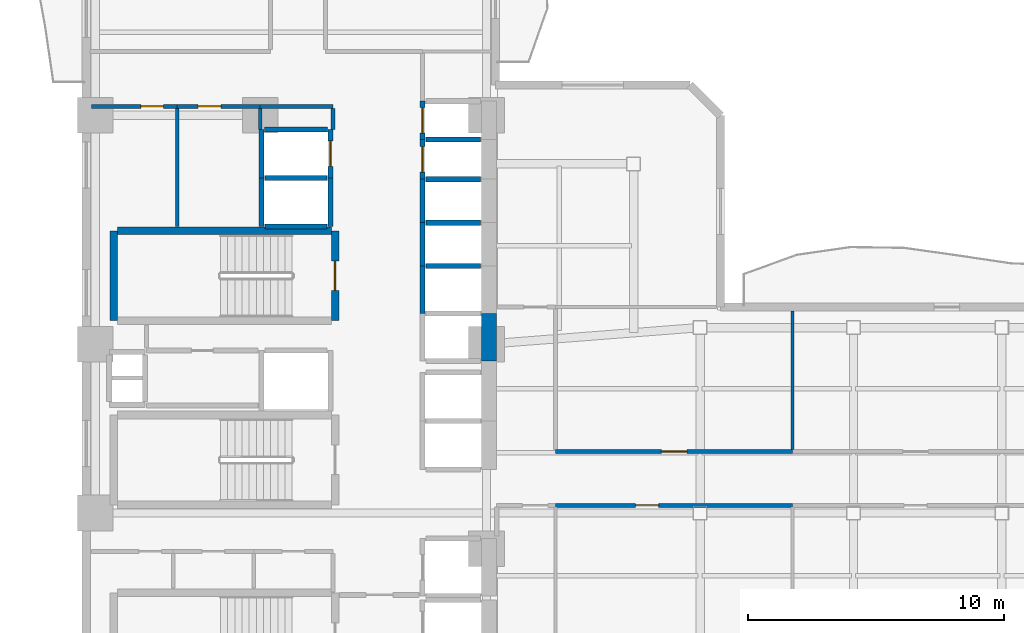
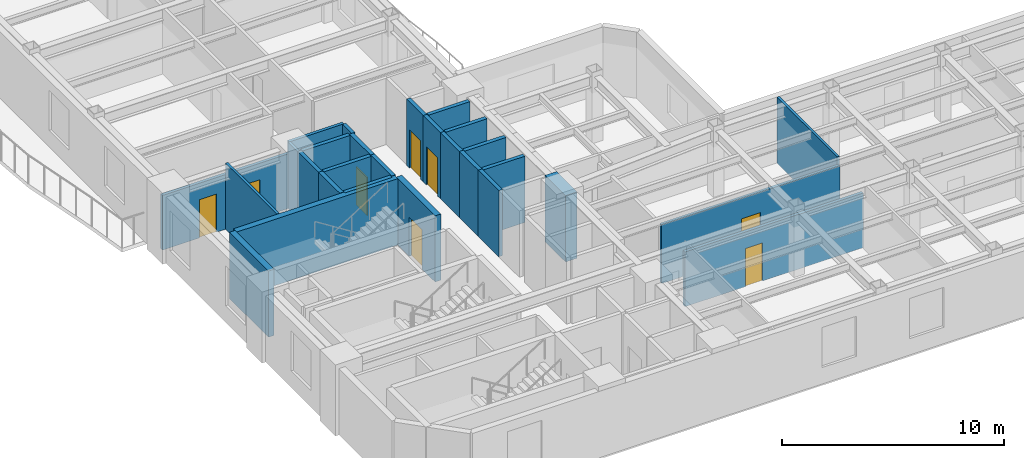
# One storey, part 4 of 10: 29 walls, 8 doors, 8 openings.
"""IFC4 building model written with IfcOpenShell, lengths in metres."""

import ifcopenshell
import ifcopenshell.guid

model = None  # the IFC model being written
_history = None  # IfcOwnerHistory: only IFC2X3 demands one
_inside = {}  # id of a spatial element -> (the spatial element, [elements in it])
_under = {}  # id of a project, library or spatial element -> (it, [spatial elements below it])
_declared = {}  # id of a project -> (the project, [libraries it declares])
_typed = {}  # id of a type object -> (the type object, [elements of that type])
_made_of = {}  # id of a material, layer set ... -> (it, [elements and type objects made of it])


def new_model(schema):
    """Start an empty IFC model of exactly this schema.

    Asked for "IFC4X3", IfcOpenShell would pick the latest addendum, in which some entities
    have other attributes; the version numbers below select the first issue.
    IFC2X3 requires an IfcOwnerHistory on every rooted entity: one is made here for all.
    """
    global model, _history
    if schema == "IFC4X3":
        model = ifcopenshell.file(schema_version=(4, 3, 0, 0))
    else:
        model = ifcopenshell.file(schema=schema)
    _inside.clear()
    _under.clear()
    _declared.clear()
    _typed.clear()
    _made_of.clear()
    _history = None
    if model.schema == "IFC2X3":
        org = make("IfcOrganization", Name="unknown")
        user = make(
            "IfcPersonAndOrganization",
            ThePerson=make("IfcPerson", FamilyName="unknown"),
            TheOrganization=org,
        )
        app = make(
            "IfcApplication",
            ApplicationDeveloper=org,
            Version="unknown",
            ApplicationFullName="unknown",
            ApplicationIdentifier="unknown",
        )
        _history = make(
            "IfcOwnerHistory",
            OwningUser=user,
            OwningApplication=app,
            ChangeAction="ADDED",
            CreationDate=0,
        )
    return model


def make(cls, **values):
    """One entity of the class cls with the attributes given. An attribute that is None is left unset."""
    return model.create_entity(
        cls, **{name: value for name, value in values.items() if value is not None}
    )


def rooted(cls, **values):
    """An entity with a GlobalId (a new one), such as an element, a storey or a relation."""
    return make(cls, GlobalId=ifcopenshell.guid.new(), OwnerHistory=_history, **values)


def si_unit(unit_type, name, prefix=None):
    """IfcSIUnit, for example si_unit("LENGTHUNIT", "METRE", prefix="MILLI")."""
    return make("IfcSIUnit", UnitType=unit_type, Prefix=prefix, Name=name)


def assignment(units):
    """IfcUnitAssignment: the units of a project."""
    return None if units is None else make("IfcUnitAssignment", Units=units)


def point(xyz):
    """IfcCartesianPoint."""
    return None if xyz is None else make("IfcCartesianPoint", Coordinates=xyz)


def direction(xyz):
    """IfcDirection."""
    return None if xyz is None else make("IfcDirection", DirectionRatios=xyz)


def frame(location, z_axis=None, x_axis=None):
    """IfcAxis2Placement3D, a coordinate frame: its origin and axes. An axis left out is left unset."""
    return make(
        "IfcAxis2Placement3D",
        Location=point(location),
        Axis=direction(z_axis),
        RefDirection=direction(x_axis),
    )


def frame_2d(location, x_axis=None):
    """IfcAxis2Placement2D, a coordinate frame in the plane: its origin and x axis."""
    return make(
        "IfcAxis2Placement2D", Location=point(location), RefDirection=direction(x_axis)
    )


def origin():
    """The frame at (0, 0, 0) with its axes left unset."""
    return frame((0.0, 0.0, 0.0))


def place(relative_to, where):
    """IfcLocalPlacement: puts the frame where relative to a parent placement (None: the world)."""
    return make(
        "IfcLocalPlacement", PlacementRelTo=relative_to, RelativePlacement=where
    )


def context(
    kind, dimensions, precision=None, world=None, true_north=None, identifier=None
):
    """IfcGeometricRepresentationContext, for example the 3D "Model" context."""
    return make(
        "IfcGeometricRepresentationContext",
        ContextIdentifier=identifier,
        ContextType=kind,
        CoordinateSpaceDimension=dimensions,
        Precision=precision,
        WorldCoordinateSystem=world,
        TrueNorth=true_north,
    )


def subcontext(parent, identifier, kind, view, scale=None):
    """IfcGeometricRepresentationSubContext, for example "Body" below "Model"."""
    return make(
        "IfcGeometricRepresentationSubContext",
        ContextIdentifier=identifier,
        ContextType=kind,
        ParentContext=parent,
        TargetScale=scale,
        TargetView=view,
    )


def project(units=None, contexts=None):
    """IfcProject with its units and contexts."""
    return rooted(
        "IfcProject",
        Name="project",
        RepresentationContexts=contexts,
        UnitsInContext=assignment(units),
    )


def spatial(cls, under=None, at=None, **own):
    """A site, building, storey or space (cls), placed at a placement, below another one or the project."""
    s = rooted(cls, ObjectPlacement=at, **own)
    if under is not None:
        _under.setdefault(under.id(), (under, []))[1].append(s)
    return s


def profile(cls, at=None, kind="AREA", **sizes):
    """A parametric profile (cls). Its sizes go by their IFC names, for example OverallWidth=200.0."""
    return make(cls, ProfileType=kind, Position=at, **sizes)


def rectangle(**sizes):
    """IfcRectangleProfileDef."""
    return profile("IfcRectangleProfileDef", **sizes)


def extrude(swept, where, along, depth):
    """IfcExtrudedAreaSolid: the profile swept, set in the frame where, extruded along a direction by depth."""
    return make(
        "IfcExtrudedAreaSolid",
        SweptArea=swept,
        Position=where,
        ExtrudedDirection=direction(along),
        Depth=depth,
    )


def shape(context_of_items, identifier, shape_type, items):
    """IfcShapeRepresentation: the items that make up one representation, for example the "Body"."""
    return make(
        "IfcShapeRepresentation",
        ContextOfItems=context_of_items,
        RepresentationIdentifier=identifier,
        RepresentationType=shape_type,
        Items=items,
    )


def material(Name=None, Category=None):
    """IfcMaterial."""
    return make("IfcMaterial", Name=Name, Category=Category)


def layer(
    of_material, thickness, ventilated=None, Name=None, Category=None, Priority=None
):
    """IfcMaterialLayer: one layer of a wall or slab, of a material (None: an air gap)."""
    return make(
        "IfcMaterialLayer",
        Material=of_material,
        LayerThickness=thickness,
        IsVentilated=ventilated,
        Name=Name,
        Category=Category,
        Priority=Priority,
    )


def layer_set(layers, Name=None):
    """IfcMaterialLayerSet."""
    return make("IfcMaterialLayerSet", MaterialLayers=layers, LayerSetName=Name)


def made_of(thing, what):
    """Note that an element or type object is made of a material, layer set ...; save() writes the relation."""
    if what is not None:
        _made_of.setdefault(what.id(), (what, []))[1].append(thing)
    return thing


def type_object(cls, material=None, **own):
    """A type object (cls), such as IfcWallType, which elements share."""
    return made_of(rooted(cls, **own), material)


def element(
    cls,
    number,
    at=None,
    inside=None,
    cuts=None,
    type_object=None,
    material=None,
    context=None,
    identifier="Body",
    shape_type=None,
    held_by="IfcProductDefinitionShape",
    body=None,
    shapes=None,
    **own,
):
    """One element of the class cls, such as IfcWall. Its Tag is "e" and its number.

    at: its placement. inside: the storey or other place that contains it. cuts: it is an
    opening in that element (IfcRelVoidsElement). A single representation is given by context,
    identifier, shape_type and body (its items); several are given by shapes. held_by: the class
    of the entity that holds the representations. save() writes the other relations.
    """
    e = rooted(cls, Tag="e%d" % number, ObjectPlacement=at, **own)
    if body is not None:
        shapes = [shape(context, identifier, shape_type, body)]
    if shapes is not None:
        e.Representation = make(held_by, Representations=shapes)
    if inside is not None:
        _inside.setdefault(inside.id(), (inside, []))[1].append(e)
    if cuts is not None:
        rooted(
            "IfcRelVoidsElement", RelatingBuildingElement=cuts, RelatedOpeningElement=e
        )
    if type_object is not None:
        _typed.setdefault(type_object.id(), (type_object, []))[1].append(e)
    return made_of(e, material)


def fill(opening, filler):
    """IfcRelFillsElement: the door or window that sits in an opening."""
    return rooted(
        "IfcRelFillsElement",
        RelatingOpeningElement=opening,
        RelatedBuildingElement=filler,
    )


def aggregate(whole, parts):
    """IfcRelAggregates: a whole, such as a stair, and the parts it consists of."""
    return rooted("IfcRelAggregates", RelatingObject=whole, RelatedObjects=parts)


def save(model, path):
    """Write the relations noted so far, then the file.

    IfcRelAggregates (storeys below a building ...), IfcRelContainedInSpatialStructure (elements
    in a storey), IfcRelDefinesByType, IfcRelAssociatesMaterial and IfcRelDeclares: one each for
    every whole, place, type object, material and project.
    """
    for whole, parts in _under.values():
        aggregate(whole, parts)
    for where, things in _inside.values():
        rooted(
            "IfcRelContainedInSpatialStructure",
            RelatedElements=things,
            RelatingStructure=where,
        )
    for kind, things in _typed.values():
        rooted("IfcRelDefinesByType", RelatedObjects=things, RelatingType=kind)
    for what, things in _made_of.values():
        rooted("IfcRelAssociatesMaterial", RelatedObjects=things, RelatingMaterial=what)
    for by, libraries in _declared.values():
        rooted("IfcRelDeclares", RelatingContext=by, RelatedDefinitions=libraries)
    model.write(path)


model = new_model("IFC4")

# Units and contexts
model_context = context("Model", 3, precision=1e-05, world=origin(), true_north=direction((0.0, 1.0)))
body_context = subcontext(model_context, "Body", "Model", "MODEL_VIEW")
ifc_project = project(units=[si_unit("LENGTHUNIT", "METRE"), si_unit("AREAUNIT", "SQUARE_METRE"), si_unit("VOLUMEUNIT", "CUBIC_METRE"), si_unit("PLANEANGLEUNIT", "RADIAN"), si_unit("MASSUNIT", "GRAM", prefix="KILO")], contexts=[model_context])

# Site, building, storey
site_placement = place(None, origin())
site = spatial("IfcSite", under=ifc_project, at=site_placement, CompositionType="ELEMENT")
building_placement = place(site_placement, origin())
building = spatial("IfcBuilding", under=site, at=building_placement, Name="Mawjaban Terraces University", CompositionType="ELEMENT")
storey_placement = place(building_placement, frame((0.0, 0.0, 89.5)))
storey = spatial("IfcBuildingStorey", under=building, at=storey_placement, Name="L21", CompositionType="ELEMENT", Elevation=89.5)

# Wall
ifc_material_1 = material(Name="Concrete C70/85", Category="concrete")
ifc_layer_1 = layer(ifc_material_1, 0.60009765625)
ifc_layer_set_1 = layer_set([ifc_layer_1], Name="Concrete C70/85")
wall_type_1 = type_object("IfcWallType", Name="CoreShearWall_600", PredefinedType="SHEAR", material=ifc_layer_set_1)
wall_1_placement = place(storey_placement, frame((37.75, 13.89990234375, 0.0), z_axis=(0.0, 0.0, 1.0), x_axis=(0.0, 1.0, 0.0)))
element("IfcWall", 1, at=wall_1_placement, inside=storey, type_object=wall_type_1, Name="L21 Lift OL-1 Hoistway Wall East", PredefinedType="SHEAR", context=body_context, shape_type="SweptSolid", body=[
    extrude(rectangle(XDim=1.85009765625, YDim=0.60009765625, at=frame_2d((0.925048828125, 0.0))), origin(), (0.0, 0.0, 1.0), 3.639892578125),
])

# Wall, opening, door
ifc_material_2 = material(Name="Fire-rated gypsum board on steel stud", Category="steel")
ifc_layer_2 = layer(ifc_material_2, 0.159912109375)
ifc_layer_set_2 = layer_set([ifc_layer_2], Name="Fire-rated gypsum board on steel stud")
wall_type_2 = type_object("IfcWallType", Name="CorridorPartition_160", PredefinedType="PARTITIONING", material=ifc_layer_set_2)
wall_2_placement = place(storey_placement, frame((25.550048828125, 23.85009765625, 0.0), z_axis=(0.0, 0.0, 1.0), x_axis=(-1.0, 0.0, 0.0)))
wall_2 = element("IfcWall", 2, at=wall_2_placement, inside=storey, type_object=wall_type_2, Name="L21 Ablution Room Partition 5", PredefinedType="PARTITIONING", context=body_context, shape_type="SweptSolid", body=[
    extrude(rectangle(XDim=3.35009765625, YDim=0.159912109375, at=frame_2d((1.675048828125, 0.0))), origin(), (0.0, 0.0, 1.0), 3.0048828125),
])
opening_1_placement = place(wall_2_placement, frame((0.534912109375, 0.0, 0.0)))
opening_1 = element("IfcOpeningElement", 3, at=opening_1_placement, cuts=wall_2, Name="Opening ID-088", PredefinedType="OPENING", context=body_context, shape_type="SweptSolid", body=[
    extrude(rectangle(XDim=0.8798828125, YDim=2.10009765625, at=frame_2d((0.43994140625, 1.050048828125))), frame((0.0, 0.08984375, 0.0), z_axis=(0.0, -1.0, 0.0), x_axis=(1.0, 0.0, 0.0)), (0.0, 0.0, 1.0), 0.179931640625),
])
ifc_material_3 = material(Name="Powder-coated steel frame and solid acoustic timber leaf", Category="steel")
door_type_1 = type_object("IfcDoorType", Name="ToiletDoor_880x2100", OperationType="NOTDEFINED", PredefinedType="DOOR", material=ifc_material_3)
door_1_placement = place(opening_1_placement, origin())
door_1 = element("IfcDoor", 4, at=door_1_placement, inside=storey, type_object=door_type_1, Name="L21 Ablution Room Door", OperationType="SINGLE_SWING_LEFT", OverallHeight=2.10009765625, OverallWidth=0.8798828125, PredefinedType="DOOR", context=body_context, shape_type="SweptSolid", body=[
    extrude(rectangle(XDim=0.8798828125, YDim=2.10009765625, at=frame_2d((0.43994140625, 1.050048828125))), frame((0.0, 0.02490234375, 0.0), z_axis=(0.0, -1.0, 0.0), x_axis=(1.0, 0.0, 0.0)), (0.0, 0.0, 1.0), 0.050048828125),
])
fill(opening_1, door_1)

wall_3_placement = place(storey_placement, frame((28.800048828125, 23.85009765625, 0.0), z_axis=(0.0, 0.0, 1.0), x_axis=(-1.0, 0.0, 0.0)))
wall_3 = element("IfcWall", 5, at=wall_3_placement, inside=storey, type_object=wall_type_2, Name="L21 Cleaner Store Partition 7", PredefinedType="PARTITIONING", context=body_context, shape_type="SweptSolid", body=[
    extrude(rectangle(XDim=3.25, YDim=0.159912109375, at=frame_2d((1.625, 0.0))), origin(), (0.0, 0.0, 1.0), 3.0048828125),
])
opening_2_placement = place(wall_3_placement, frame((1.52490234375, 0.0, 0.0)))
opening_2 = element("IfcOpeningElement", 6, at=opening_2_placement, cuts=wall_3, Name="Opening ID-090", PredefinedType="OPENING", context=body_context, shape_type="SweptSolid", body=[
    extrude(rectangle(XDim=0.89990234375, YDim=2.10009765625, at=frame_2d((0.449951171875, 1.050048828125))), frame((0.0, 0.08984375, 0.0), z_axis=(0.0, -1.0, 0.0), x_axis=(1.0, 0.0, 0.0)), (0.0, 0.0, 1.0), 0.179931640625),
])
door_type_2 = type_object("IfcDoorType", Name="OfficeDoor_900x2100", OperationType="NOTDEFINED", PredefinedType="DOOR", material=ifc_material_3)
door_2_placement = place(opening_2_placement, origin())
door_2 = element("IfcDoor", 7, at=door_2_placement, inside=storey, type_object=door_type_2, Name="L21 Cleaner Store Door", OperationType="SINGLE_SWING_RIGHT", OverallHeight=2.10009765625, OverallWidth=0.89990234375, PredefinedType="DOOR", context=body_context, shape_type="SweptSolid", body=[
    extrude(rectangle(XDim=0.89990234375, YDim=2.10009765625, at=frame_2d((0.449951171875, 1.050048828125))), frame((0.0, 0.02490234375, 0.0), z_axis=(0.0, -1.0, 0.0), x_axis=(1.0, 0.0, 0.0)), (0.0, 0.0, 1.0), 0.050048828125),
])
fill(opening_2, door_2)

# Wall
wall_4_placement = place(storey_placement, frame((28.800048828125, 23.85009765625, 0.0), z_axis=(0.0, 0.0, 1.0), x_axis=(1.0, 0.0, 0.0)))
element("IfcWall", 8, at=wall_4_placement, inside=storey, type_object=wall_type_2, Name="L21 North Core Cross-Corridor Partition 8", PredefinedType="PARTITIONING", context=body_context, shape_type="SweptSolid", body=[
    extrude(rectangle(XDim=2.849853515625, YDim=0.159912109375, at=frame_2d((1.4248046875, 0.0))), origin(), (0.0, 0.0, 1.0), 3.639892578125),
])

# Wall, opening, door
wall_5_placement = place(storey_placement, frame((40.35009765625, 8.25, 0.0), z_axis=(0.0, 0.0, 1.0), x_axis=(1.0, 0.0, 0.0)))
wall_5 = element("IfcWall", 9, at=wall_5_placement, inside=storey, type_object=wall_type_2, Name="L21 East Academic Spine Corridor Partition 19", PredefinedType="PARTITIONING", context=body_context, shape_type="SweptSolid", body=[
    extrude(rectangle(XDim=9.27001953125, YDim=0.159912109375, at=frame_2d((4.635009765625, 0.0))), origin(), (0.0, 0.0, 1.0), 3.0048828125),
])
opening_3_placement = place(wall_5_placement, frame((3.135009765625, 0.0, 0.0)))
opening_3 = element("IfcOpeningElement", 10, at=opening_3_placement, cuts=wall_5, Name="Opening ID-090", PredefinedType="OPENING", context=body_context, shape_type="SweptSolid", body=[
    extrude(rectangle(XDim=0.89990234375, YDim=2.10009765625, at=frame_2d((0.449951171875, 1.050048828125))), frame((0.0, 0.08984375, 0.0), z_axis=(0.0, -1.0, 0.0), x_axis=(1.0, 0.0, 0.0)), (0.0, 0.0, 1.0), 0.179931640625),
])
door_3_placement = place(opening_3_placement, origin())
door_3 = element("IfcDoor", 11, at=door_3_placement, inside=storey, type_object=door_type_2, Name="L21 Conference Room 2 Door", OperationType="SINGLE_SWING_RIGHT", OverallHeight=2.10009765625, OverallWidth=0.89990234375, PredefinedType="DOOR", context=body_context, shape_type="SweptSolid", body=[
    extrude(rectangle(XDim=0.89990234375, YDim=2.10009765625, at=frame_2d((0.449951171875, 1.050048828125))), frame((0.0, 0.02490234375, 0.0), z_axis=(0.0, -1.0, 0.0), x_axis=(1.0, 0.0, 0.0)), (0.0, 0.0, 1.0), 0.050048828125),
])
fill(opening_3, door_3)

wall_6_placement = place(storey_placement, frame((49.6201171875, 10.35009765625, 0.0), z_axis=(0.0, 0.0, 1.0), x_axis=(-1.0, 0.0, 0.0)))
wall_6 = element("IfcWall", 12, at=wall_6_placement, inside=storey, type_object=wall_type_2, Name="L21 East Academic Spine Corridor Partition 23", PredefinedType="PARTITIONING", context=body_context, shape_type="SweptSolid", body=[
    extrude(rectangle(XDim=9.27001953125, YDim=0.159912109375, at=frame_2d((4.635009765625, 0.0))), origin(), (0.0, 0.0, 1.0), 3.22705078125),
])
opening_4_placement = place(wall_6_placement, frame((4.135009765625, 0.0, 0.0)))
opening_4 = element("IfcOpeningElement", 13, at=opening_4_placement, cuts=wall_6, Name="Opening ID-100", PredefinedType="OPENING", context=body_context, shape_type="SweptSolid", body=[
    extrude(rectangle(XDim=1.0, YDim=2.10009765625, at=frame_2d((0.5, 1.050048828125))), frame((0.0, 0.08984375, 0.0), z_axis=(0.0, -1.0, 0.0), x_axis=(1.0, 0.0, 0.0)), (0.0, 0.0, 1.0), 0.179931640625),
])
door_type_3 = type_object("IfcDoorType", Name="ClassroomDoor_1000x2100", OperationType="NOTDEFINED", PredefinedType="DOOR", material=ifc_material_3)
door_4_placement = place(opening_4_placement, origin())
door_4 = element("IfcDoor", 14, at=door_4_placement, inside=storey, type_object=door_type_3, Name="L21 Classroom 3 Door", OperationType="SINGLE_SWING_LEFT", OverallHeight=2.10009765625, OverallWidth=1.0, PredefinedType="DOOR", context=body_context, shape_type="SweptSolid", body=[
    extrude(rectangle(XDim=1.0, YDim=2.10009765625, at=frame_2d((0.5, 1.050048828125))), frame((0.0, 0.02490234375, 0.0), z_axis=(0.0, -1.0, 0.0), x_axis=(1.0, 0.0, 0.0)), (0.0, 0.0, 1.0), 0.050048828125),
])
fill(opening_4, door_4)

# Walls
wall_7_placement = place(storey_placement, frame((31.64990234375, 23.77490234375, 0.0), z_axis=(0.0, 0.0, 1.0), x_axis=(0.0, -1.0, 0.0)))
element("IfcWall", 15, at=wall_7_placement, inside=storey, type_object=wall_type_2, Name="L21 Passenger Lift Lobby Partition 41", PredefinedType="PARTITIONING", context=body_context, shape_type="SweptSolid", body=[
    extrude(rectangle(XDim=0.824951171875, YDim=0.159912109375, at=frame_2d((0.41259765625, 0.0))), origin(), (0.0, 0.0, 1.0), 3.639892578125),
])
ifc_material_4 = material(Name="Concrete C40/50", Category="concrete")
ifc_layer_3 = layer(ifc_material_4, 0.199951171875)
ifc_layer_set_3 = layer_set([ifc_layer_3], Name="Concrete C40/50")
wall_type_3 = type_object("IfcWallType", Name="FireLobbyWall_200", PredefinedType="SOLIDWALL", material=ifc_layer_set_3)
wall_8_placement = place(storey_placement, frame((35.14990234375, 17.60009765625, 0.0), z_axis=(0.0, 0.0, 1.0), x_axis=(0.0, -1.0, 0.0)))
element("IfcWall", 16, at=wall_8_placement, inside=storey, type_object=wall_type_3, Name="L21 Lift OL-2 Hoistway Wall West", PredefinedType="SOLIDWALL", context=body_context, shape_type="SweptSolid", body=[
    extrude(rectangle(XDim=1.85009765625, YDim=0.199951171875, at=frame_2d((0.925048828125, 0.0))), origin(), (0.0, 0.0, 1.0), 3.639892578125),
])
wall_9_placement = place(storey_placement, frame((37.419921875, 17.60009765625, 0.0), z_axis=(0.0, 0.0, 1.0), x_axis=(-1.0, 0.0, 0.0)))
element("IfcWall", 17, at=wall_9_placement, inside=storey, type_object=wall_type_3, Name="L21 Lift OL-2 Hoistway Wall North", PredefinedType="SOLIDWALL", context=body_context, shape_type="SweptSolid", body=[
    extrude(rectangle(XDim=2.139892578125, YDim=0.199951171875, at=frame_2d((1.06982421875, 0.0))), origin(), (0.0, 0.0, 1.0), 3.639892578125),
])
wall_10_placement = place(storey_placement, frame((35.14990234375, 19.300048828125, 0.0), z_axis=(0.0, 0.0, 1.0), x_axis=(0.0, -1.0, 0.0)))
element("IfcWall", 18, at=wall_10_placement, inside=storey, type_object=wall_type_3, Name="L21 Lift PL-M1 Hoistway Wall West", PredefinedType="SOLIDWALL", context=body_context, shape_type="SweptSolid", body=[
    extrude(rectangle(XDim=1.699951171875, YDim=0.199951171875, at=frame_2d((0.85009765625, 0.0))), origin(), (0.0, 0.0, 1.0), 3.639892578125),
])
wall_11_placement = place(storey_placement, frame((37.419921875, 19.300048828125, 0.0), z_axis=(0.0, 0.0, 1.0), x_axis=(-1.0, 0.0, 0.0)))
element("IfcWall", 19, at=wall_11_placement, inside=storey, type_object=wall_type_3, Name="L21 Lift PL-M1 Hoistway Wall North", PredefinedType="SOLIDWALL", context=body_context, shape_type="SweptSolid", body=[
    extrude(rectangle(XDim=2.139892578125, YDim=0.199951171875, at=frame_2d((1.06982421875, 0.0))), origin(), (0.0, 0.0, 1.0), 3.639892578125),
])
wall_12_placement = place(storey_placement, frame((35.14990234375, 21.0, 0.0), z_axis=(0.0, 0.0, 1.0), x_axis=(0.0, -1.0, 0.0)))
element("IfcWall", 20, at=wall_12_placement, inside=storey, type_object=wall_type_3, Name="L21 Lift PL-M2 Hoistway Wall West", PredefinedType="SOLIDWALL", context=body_context, shape_type="SweptSolid", body=[
    extrude(rectangle(XDim=1.699951171875, YDim=0.199951171875, at=frame_2d((0.85009765625, 0.0))), origin(), (0.0, 0.0, 1.0), 3.639892578125),
])
wall_13_placement = place(storey_placement, frame((37.419921875, 21.0, 0.0), z_axis=(0.0, 0.0, 1.0), x_axis=(-1.0, 0.0, 0.0)))
element("IfcWall", 21, at=wall_13_placement, inside=storey, type_object=wall_type_3, Name="L21 Lift PL-M2 Hoistway Wall North", PredefinedType="SOLIDWALL", context=body_context, shape_type="SweptSolid", body=[
    extrude(rectangle(XDim=2.139892578125, YDim=0.199951171875, at=frame_2d((1.06982421875, 0.0))), origin(), (0.0, 0.0, 1.0), 3.639892578125),
])
for number, where, z_axis, x_axis, name in (
    (22, (28.85009765625, 21.050048828125, 0.0), (0.0, 0.0, 1.0), (0.0, -1.0, 0.0), "L21 Lift PL-M3 Hoistway Wall West"),
    (23, (31.550048828125, 19.14990234375, 0.0), (0.0, 0.0, 1.0), (0.0, 1.0, 0.0), "L21 Lift PL-M3 Hoistway Wall East"),
):
    element("IfcWall", number, at=place(storey_placement, frame(where, z_axis=z_axis, x_axis=x_axis)), inside=storey, type_object=wall_type_3, Name=name, PredefinedType="SOLIDWALL", context=body_context, shape_type="SweptSolid", body=[
        extrude(rectangle(XDim=1.900146484375, YDim=0.199951171875, at=frame_2d((0.9501953125, 0.0))), origin(), (0.0, 0.0, 1.0), 3.639892578125),
    ])
for number, where, z_axis, x_axis, name in (
    (24, (28.97998046875, 19.14990234375, 0.0), (0.0, 0.0, 1.0), (1.0, 0.0, 0.0), "L21 Lift PL-M3 Hoistway Wall South"),
    (25, (31.419921875, 21.050048828125, 0.0), (0.0, 0.0, 1.0), (-1.0, 0.0, 0.0), "L21 Lift PL-M3 Hoistway Wall North"),
):
    element("IfcWall", number, at=place(storey_placement, frame(where, z_axis=z_axis, x_axis=x_axis)), inside=storey, type_object=wall_type_3, Name=name, PredefinedType="SOLIDWALL", context=body_context, shape_type="SweptSolid", body=[
        extrude(rectangle(XDim=2.43994140625, YDim=0.199951171875, at=frame_2d((1.219970703125, 0.0))), origin(), (0.0, 0.0, 1.0), 3.639892578125),
    ])

# Wall, opening, door
wall_14_placement = place(storey_placement, frame((35.14990234375, 22.550048828125, 0.0), z_axis=(0.0, 0.0, 1.0), x_axis=(0.0, -1.0, 0.0)))
wall_14 = element("IfcWall", 26, at=wall_14_placement, inside=storey, type_object=wall_type_3, Name="L21 Lift PL-L1 Hoistway Wall West", PredefinedType="SOLIDWALL", context=body_context, shape_type="SweptSolid", body=[
    extrude(rectangle(XDim=1.550048828125, YDim=0.199951171875, at=frame_2d((0.77490234375, 0.0))), origin(), (0.0, 0.0, 1.0), 3.639892578125),
])
opening_5_placement = place(wall_14_placement, frame((0.27490234375, 0.0, 0.0)))
opening_5 = element("IfcOpeningElement", 27, at=opening_5_placement, cuts=wall_14, Name="Opening LD-PL-L1", PredefinedType="OPENING", context=body_context, shape_type="SweptSolid", body=[
    extrude(rectangle(XDim=1.0, YDim=2.10009765625, at=frame_2d((0.5, 1.050048828125))), frame((0.0, 0.10986328125, 0.0), z_axis=(0.0, -1.0, 0.0), x_axis=(1.0, 0.0, 0.0)), (0.0, 0.0, 1.0), 0.219970703125),
])
ifc_material_5 = material(Name="Powder-coated steel frame and fire-rated steel-faced leaf", Category="steel")
door_type_4 = type_object("IfcDoorType", Name="LiftLandingSliding_1000x2100", OperationType="NOTDEFINED", PredefinedType="DOOR", material=ifc_material_5)
door_5_placement = place(opening_5_placement, origin())
door_5 = element("IfcDoor", 28, at=door_5_placement, inside=storey, type_object=door_type_4, Name="L21 Lift PL-L1 Sliding Landing Door", OperationType="DOUBLE_DOOR_SLIDING", OverallHeight=2.10009765625, OverallWidth=1.0, PredefinedType="DOOR", context=body_context, shape_type="SweptSolid", body=[
    extrude(rectangle(XDim=1.0, YDim=2.10009765625, at=frame_2d((0.5, 1.050048828125))), frame((0.0, 0.02490234375, 0.0), z_axis=(0.0, -1.0, 0.0), x_axis=(1.0, 0.0, 0.0)), (0.0, 0.0, 1.0), 0.050048828125),
])
fill(opening_5, door_5)

# Wall
wall_15_placement = place(storey_placement, frame((37.419921875, 22.550048828125, 0.0), z_axis=(0.0, 0.0, 1.0), x_axis=(-1.0, 0.0, 0.0)))
element("IfcWall", 29, at=wall_15_placement, inside=storey, type_object=wall_type_3, Name="L21 Lift PL-L1 Hoistway Wall North", PredefinedType="SOLIDWALL", context=body_context, shape_type="SweptSolid", body=[
    extrude(rectangle(XDim=2.139892578125, YDim=0.199951171875, at=frame_2d((1.06982421875, 0.0))), origin(), (0.0, 0.0, 1.0), 3.639892578125),
])

# Wall, opening, door
wall_16_placement = place(storey_placement, frame((35.14990234375, 24.050048828125, 0.0), z_axis=(0.0, 0.0, 1.0), x_axis=(0.0, -1.0, 0.0)))
wall_16 = element("IfcWall", 30, at=wall_16_placement, inside=storey, type_object=wall_type_3, Name="L21 Lift PL-L2 Hoistway Wall West", PredefinedType="SOLIDWALL", context=body_context, shape_type="SweptSolid", body=[
    extrude(rectangle(XDim=1.5, YDim=0.199951171875, at=frame_2d((0.75, 0.0))), origin(), (0.0, 0.0, 1.0), 3.639892578125),
])
opening_6_placement = place(wall_16_placement, frame((0.25, 0.0, 0.0)))
opening_6 = element("IfcOpeningElement", 31, at=opening_6_placement, cuts=wall_16, Name="Opening LD-PL-L2", PredefinedType="OPENING", context=body_context, shape_type="SweptSolid", body=[
    extrude(rectangle(XDim=1.0, YDim=2.10009765625, at=frame_2d((0.5, 1.050048828125))), frame((0.0, 0.10986328125, 0.0), z_axis=(0.0, -1.0, 0.0), x_axis=(1.0, 0.0, 0.0)), (0.0, 0.0, 1.0), 0.219970703125),
])
door_6_placement = place(opening_6_placement, origin())
door_6 = element("IfcDoor", 32, at=door_6_placement, inside=storey, type_object=door_type_4, Name="L21 Lift PL-L2 Sliding Landing Door", OperationType="DOUBLE_DOOR_SLIDING", OverallHeight=2.10009765625, OverallWidth=1.0, PredefinedType="DOOR", context=body_context, shape_type="SweptSolid", body=[
    extrude(rectangle(XDim=1.0, YDim=2.10009765625, at=frame_2d((0.5, 1.050048828125))), frame((0.0, 0.02490234375, 0.0), z_axis=(0.0, -1.0, 0.0), x_axis=(1.0, 0.0, 0.0)), (0.0, 0.0, 1.0), 0.050048828125),
])
fill(opening_6, door_6)

# Wall
wall_17_placement = place(storey_placement, frame((28.85009765625, 22.949951171875, 0.0), z_axis=(0.0, 0.0, 1.0), x_axis=(0.0, -1.0, 0.0)))
element("IfcWall", 33, at=wall_17_placement, inside=storey, type_object=wall_type_3, Name="L21 Lift PL-L3 Hoistway Wall West", PredefinedType="SOLIDWALL", context=body_context, shape_type="SweptSolid", body=[
    extrude(rectangle(XDim=1.89990234375, YDim=0.199951171875, at=frame_2d((0.949951171875, 0.0))), origin(), (0.0, 0.0, 1.0), 3.639892578125),
])

# Wall, opening, door
wall_18_placement = place(storey_placement, frame((31.550048828125, 21.050048828125, 0.0), z_axis=(0.0, 0.0, 1.0), x_axis=(0.0, 1.0, 0.0)))
wall_18 = element("IfcWall", 34, at=wall_18_placement, inside=storey, type_object=wall_type_3, Name="L21 Lift PL-L3 Hoistway Wall East", PredefinedType="SOLIDWALL", context=body_context, shape_type="SweptSolid", body=[
    extrude(rectangle(XDim=1.89990234375, YDim=0.199951171875, at=frame_2d((0.949951171875, 0.0))), origin(), (0.0, 0.0, 1.0), 3.639892578125),
])
opening_7_placement = place(wall_18_placement, frame((0.449951171875, 0.0, 0.0)))
opening_7 = element("IfcOpeningElement", 35, at=opening_7_placement, cuts=wall_18, Name="Opening LD-PL-L3", PredefinedType="OPENING", context=body_context, shape_type="SweptSolid", body=[
    extrude(rectangle(XDim=1.0, YDim=2.10009765625, at=frame_2d((0.5, 1.050048828125))), frame((0.0, 0.10986328125, 0.0), z_axis=(0.0, -1.0, 0.0), x_axis=(1.0, 0.0, 0.0)), (0.0, 0.0, 1.0), 0.219970703125),
])
door_7_placement = place(opening_7_placement, origin())
door_7 = element("IfcDoor", 36, at=door_7_placement, inside=storey, type_object=door_type_4, Name="L21 Lift PL-L3 Sliding Landing Door", OperationType="DOUBLE_DOOR_SLIDING", OverallHeight=2.10009765625, OverallWidth=1.0, PredefinedType="DOOR", context=body_context, shape_type="SweptSolid", body=[
    extrude(rectangle(XDim=1.0, YDim=2.10009765625, at=frame_2d((0.5, 1.050048828125))), frame((0.0, 0.02490234375, 0.0), z_axis=(0.0, -1.0, 0.0), x_axis=(1.0, 0.0, 0.0)), (0.0, 0.0, 1.0), 0.050048828125),
])
fill(opening_7, door_7)

# Walls
wall_19_placement = place(storey_placement, frame((31.429931640625, 22.949951171875, 0.0), z_axis=(0.0, 0.0, 1.0), x_axis=(-1.0, 0.0, 0.0)))
element("IfcWall", 37, at=wall_19_placement, inside=storey, type_object=wall_type_3, Name="L21 Lift PL-L3 Hoistway Wall North", PredefinedType="SOLIDWALL", context=body_context, shape_type="SweptSolid", body=[
    extrude(rectangle(XDim=2.4599609375, YDim=0.199951171875, at=frame_2d((1.22998046875, 0.0))), origin(), (0.0, 0.0, 1.0), 3.639892578125),
])
ifc_material_6 = material(Name="Gypsum plasterboard on steel stud", Category="steel")
ifc_layer_4 = layer(ifc_material_6, 0.125)
ifc_layer_set_4 = layer_set([ifc_layer_4], Name="Gypsum plasterboard on steel stud")
wall_type_4 = type_object("IfcWallType", Name="OfficePartition_125", PredefinedType="PARTITIONING", material=ifc_layer_set_4)
wall_20_placement = place(storey_placement, frame((28.800048828125, 22.949951171875, 0.0), z_axis=(0.0, 0.0, 1.0), x_axis=(0.0, 1.0, 0.0)))
element("IfcWall", 38, at=wall_20_placement, inside=storey, type_object=wall_type_4, Name="L21 Cleaner Store Partition 33", PredefinedType="PARTITIONING", context=body_context, shape_type="SweptSolid", body=[
    extrude(rectangle(XDim=0.824951171875, YDim=0.125, at=frame_2d((0.41259765625, 0.0))), origin(), (0.0, 0.0, 1.0), 3.639892578125),
])
wall_21_placement = place(storey_placement, frame((49.6201171875, 10.425048828125, 0.0), z_axis=(0.0, 0.0, 1.0), x_axis=(0.0, 1.0, 0.0)))
element("IfcWall", 39, at=wall_21_placement, inside=storey, type_object=wall_type_4, Name="L21 Classroom 3 Partition 47", PredefinedType="PARTITIONING", context=body_context, shape_type="SweptSolid", body=[
    extrude(rectangle(XDim=5.419921875, YDim=0.125, at=frame_2d((2.7099609375, 0.0))), origin(), (0.0, 0.0, 1.0), 3.639892578125),
])
ifc_material_7 = material(Name="Concrete C60/75", Category="concrete")
ifc_layer_5 = layer(ifc_material_7, 0.300048828125)
ifc_layer_set_5 = layer_set([ifc_layer_5], Name="Concrete C60/75")
wall_type_5 = type_object("IfcWallType", Name="StairShaftWall_300", PredefinedType="SHEAR", material=ifc_layer_set_5)
wall_22_placement = place(storey_placement, frame((31.580078125, 18.97998046875, 0.0), z_axis=(0.0, 0.0, 1.0), x_axis=(-1.0, 0.0, 0.0)))
element("IfcWall", 40, at=wall_22_placement, inside=storey, type_object=wall_type_5, Name="L21 ST-2 Stair Shaft Wall 1", PredefinedType="SHEAR", context=body_context, shape_type="SweptSolid", body=[
    extrude(rectangle(XDim=8.360107421875, YDim=0.300048828125, at=frame_2d((4.18017578125, 0.0))), origin(), (0.0, 0.0, 1.0), 3.639892578125),
])
wall_23_placement = place(storey_placement, frame((23.070068359375, 18.97998046875, 0.0), z_axis=(0.0, 0.0, 1.0), x_axis=(0.0, -1.0, 0.0)))
element("IfcWall", 41, at=wall_23_placement, inside=storey, type_object=wall_type_5, Name="L21 ST-2 Stair Shaft Wall 2", PredefinedType="SHEAR", context=body_context, shape_type="SweptSolid", body=[
    extrude(rectangle(XDim=3.510009765625, YDim=0.300048828125, at=frame_2d((1.7548828125, 0.0))), origin(), (0.0, 0.0, 1.0), 3.639892578125),
])

# Wall, opening, door
wall_24_placement = place(storey_placement, frame((31.72998046875, 15.469970703125, 0.0), z_axis=(0.0, 0.0, 1.0), x_axis=(0.0, 1.0, 0.0)))
wall_24 = element("IfcWall", 42, at=wall_24_placement, inside=storey, type_object=wall_type_5, Name="L21 ST-2 Stair Shaft Wall 4", PredefinedType="SHEAR", context=body_context, shape_type="SweptSolid", body=[
    extrude(rectangle(XDim=3.510009765625, YDim=0.300048828125, at=frame_2d((1.7548828125, 0.0))), origin(), (0.0, 0.0, 1.0), 3.639892578125),
])
opening_8_placement = place(wall_24_placement, frame((1.179931640625, 0.0, 0.0)))
opening_8 = element("IfcOpeningElement", 43, at=opening_8_placement, cuts=wall_24, Name="Opening FD-115", PredefinedType="OPENING", context=body_context, shape_type="SweptSolid", body=[
    extrude(rectangle(XDim=1.14990234375, YDim=2.14990234375, at=frame_2d((0.574951171875, 1.074951171875))), frame((0.0, 0.159912109375, 0.0), z_axis=(0.0, -1.0, 0.0), x_axis=(1.0, 0.0, 0.0)), (0.0, 0.0, 1.0), 0.320068359375),
])
door_type_5 = type_object("IfcDoorType", Name="FireStairDoor_1150x2150", OperationType="NOTDEFINED", PredefinedType="DOOR", material=ifc_material_5)
door_8_placement = place(opening_8_placement, origin())
door_8 = element("IfcDoor", 44, at=door_8_placement, inside=storey, type_object=door_type_5, Name="L21 ST-2 Pressurised Stair Fire Door", OperationType="SINGLE_SWING_RIGHT", OverallHeight=2.14990234375, OverallWidth=1.14990234375, PredefinedType="DOOR", context=body_context, shape_type="SweptSolid", body=[
    extrude(rectangle(XDim=1.14990234375, YDim=2.14990234375, at=frame_2d((0.574951171875, 1.074951171875))), frame((0.0, 0.02490234375, 0.0), z_axis=(0.0, -1.0, 0.0), x_axis=(1.0, 0.0, 0.0)), (0.0, 0.0, 1.0), 0.050048828125),
])
fill(opening_8, door_8)

# Wall
ifc_material_8 = material(Name="Cement-board wet-room partition", Category="masonry")
ifc_layer_6 = layer(ifc_material_8, 0.135009765625)
ifc_layer_set_6 = layer_set([ifc_layer_6], Name="Cement-board wet-room partition")
wall_type_6 = type_object("IfcWallType", Name="WetRoomPartition_135", PredefinedType="PARTITIONING", material=ifc_layer_set_6)
wall_25_placement = place(storey_placement, frame((25.550048828125, 19.159912109375, 0.0), z_axis=(0.0, 0.0, 1.0), x_axis=(0.0, 1.0, 0.0)))
element("IfcWall", 45, at=wall_25_placement, inside=storey, type_object=wall_type_6, Name="L21 Ablution Room Partition 31", PredefinedType="PARTITIONING", context=body_context, shape_type="SweptSolid", body=[
    extrude(rectangle(XDim=4.614990234375, YDim=0.135009765625, at=frame_2d((2.3076171875, 0.0))), origin(), (0.0, 0.0, 1.0), 3.639892578125),
])

save(model, "model.ifc")
